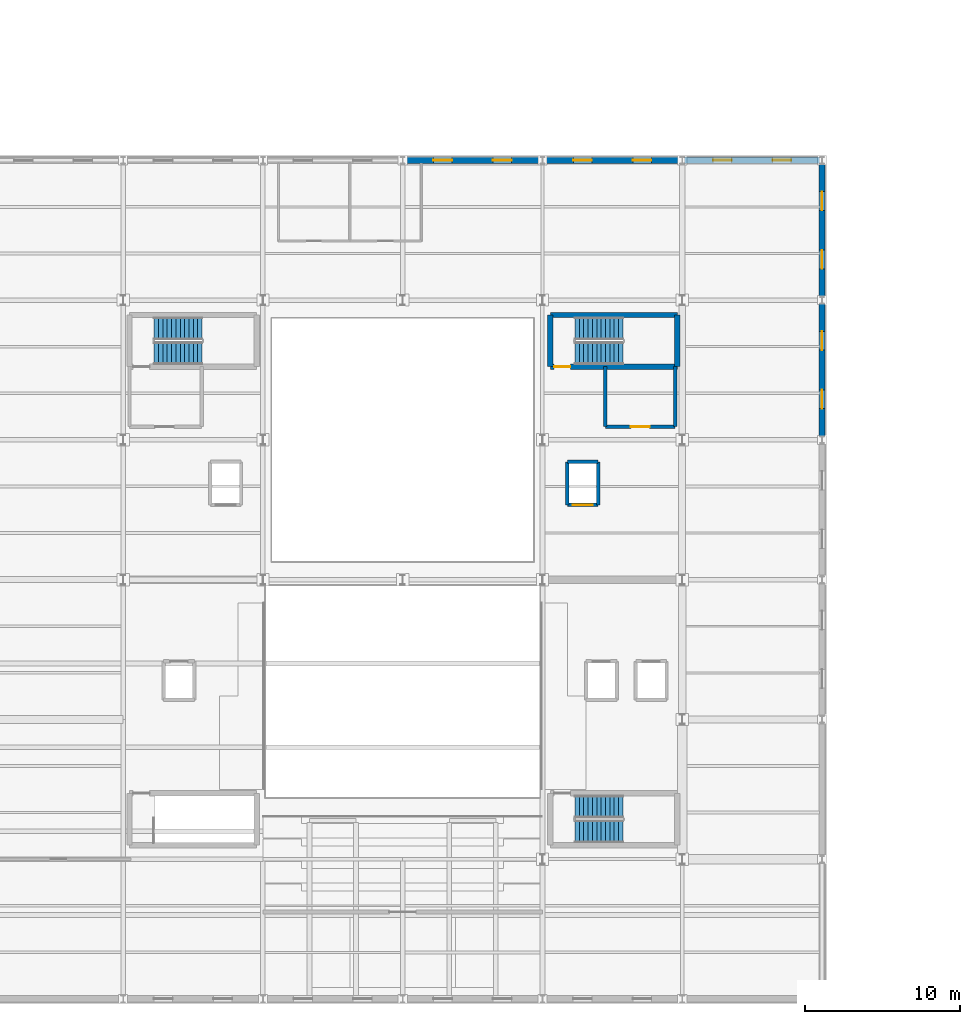
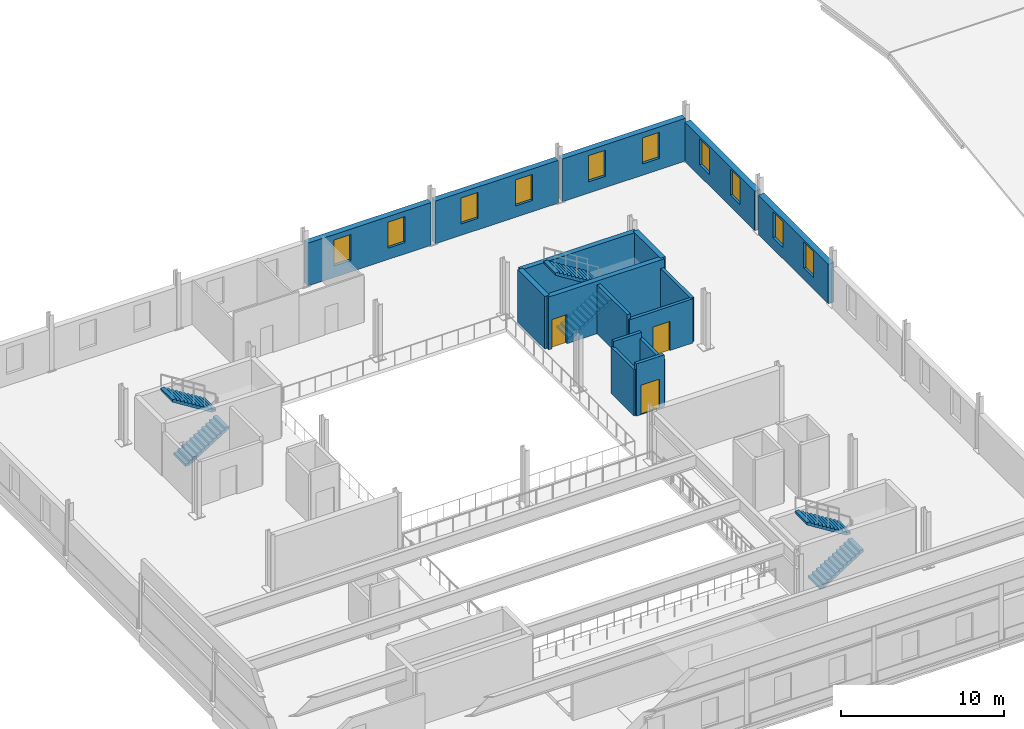
# One storey, part 11 of 17: 16 walls, 10 windows, 6 stair flights, 3 doors, 13 openings, 3 elements without a shape of their own.
"""IFC4 building model written with IfcOpenShell, lengths in metres."""

from ifc_helpers import new_model, si_unit, direction, frame, frame_2d, origin, place, context, subcontext, project, spatial, polyline, rectangle, outline, extrude, material, layer, layer_set, type_object, element, fill, aggregate, save


model = new_model("IFC4")

# Units and contexts
model_context = context("Model", 3, precision=1e-05, world=origin(), true_north=direction((0.0, 1.0)))
body_context = subcontext(model_context, "Body", "Model", "MODEL_VIEW")
ifc_project = project(units=[si_unit("LENGTHUNIT", "METRE"), si_unit("AREAUNIT", "SQUARE_METRE"), si_unit("VOLUMEUNIT", "CUBIC_METRE"), si_unit("PLANEANGLEUNIT", "RADIAN"), si_unit("MASSUNIT", "GRAM", prefix="KILO")], contexts=[model_context])

# Site, building, storey
site_placement = place(None, origin())
site = spatial("IfcSite", under=ifc_project, at=site_placement, CompositionType="ELEMENT")
building_placement = place(site_placement, origin())
building = spatial("IfcBuilding", under=site, at=building_placement, Name="Sundgate Opera House", CompositionType="ELEMENT")
storey_placement = place(building_placement, frame((0.0, 0.0, 26.39990234375)))
storey = spatial("IfcBuildingStorey", under=building, at=storey_placement, Name="L05", CompositionType="ELEMENT", Elevation=26.39990234375)

# Wall, opening, door
ifc_material_1 = material(Name="Concrete C40/50", Category="concrete")
ifc_layer_1 = layer(ifc_material_1, 0.35009765625)
ifc_layer_set_1 = layer_set([ifc_layer_1], Name="Concrete C40/50")
wall_type_1 = type_object("IfcWallType", Name="WL-CORE-350", PredefinedType="SHEAR", material=ifc_layer_set_1)
wall_1_placement = place(storey_placement, frame((63.510009765625, 73.7099609375, 0.0), z_axis=(0.0, 0.0, 1.0), x_axis=(1.0, 0.0, 0.0)))
wall_1 = element("IfcWall", 1, at=wall_1_placement, inside=storey, type_object=wall_type_1, Name="L05 C4 South Shaft Wall", PredefinedType="SHEAR", context=body_context, shape_type="SweptSolid", body=[
    extrude(rectangle(XDim=8.179931640625, YDim=0.35009765625, at=frame_2d((4.08984375, 0.0))), origin(), (0.0, 0.0, 1.0), 3.940185546875),
])
opening_1_placement = place(wall_1_placement, frame((0.239990234375, 0.0, 0.0)))
opening_1 = element("IfcOpeningElement", 2, at=opening_1_placement, cuts=wall_1, Name="Opening DI01", PredefinedType="OPENING", context=body_context, shape_type="SweptSolid", body=[
    extrude(rectangle(XDim=1.050048828125, YDim=2.179931640625, at=frame_2d((0.52490234375, 1.08984375))), frame((0.0, 0.18505859375, 0.0), z_axis=(0.0, -1.0, 0.0), x_axis=(1.0, 0.0, 0.0)), (0.0, 0.0, 1.0), 0.3701171875),
])
ifc_material_2 = material(Name="Acoustic hardwood timber and steel core", Category="steel")
door_type_1 = type_object("IfcDoorType", Name="DR-STAIR-1050x2180", OperationType="NOTDEFINED", PredefinedType="DOOR", material=ifc_material_2)
door_1_placement = place(opening_1_placement, origin())
door_1 = element("IfcDoor", 3, at=door_1_placement, inside=storey, type_object=door_type_1, Name="L05 C4 Stair Door D0068", OperationType="SINGLE_SWING_RIGHT", OverallHeight=2.179931640625, OverallWidth=1.050048828125, PredefinedType="DOOR", context=body_context, shape_type="SweptSolid", body=[
    extrude(rectangle(XDim=1.050048828125, YDim=2.179931640625, at=frame_2d((0.52490234375, 1.08984375))), frame((0.0, 0.02490234375, 0.0), z_axis=(0.0, -1.0, 0.0), x_axis=(1.0, 0.0, 0.0)), (0.0, 0.0, 1.0), 0.050048828125),
])
fill(opening_1, door_1)

# Walls
wall_2_placement = place(storey_placement, frame((63.510009765625, 77.0400390625, 0.0), z_axis=(0.0, 0.0, 1.0), x_axis=(1.0, 0.0, 0.0)))
element("IfcWall", 4, at=wall_2_placement, inside=storey, type_object=wall_type_1, Name="L05 C4 North Shaft Wall", PredefinedType="SHEAR", context=body_context, shape_type="SweptSolid", body=[
    extrude(rectangle(XDim=8.179931640625, YDim=0.35009765625, at=frame_2d((4.08984375, 0.0))), origin(), (0.0, 0.0, 1.0), 3.940185546875),
])
for number, where, z_axis, x_axis, name in (
    (5, (63.510009765625, 73.7099609375, 0.0), (0.0, 0.0, 1.0), (0.0, 1.0, 0.0), "L05 C4 West Shaft Wall"),
    (6, (71.68994140625, 73.7099609375, 0.0), (0.0, 0.0, 1.0), (0.0, 1.0, 0.0), "L05 C4 East Shaft Wall"),
):
    element("IfcWall", number, at=place(storey_placement, frame(where, z_axis=z_axis, x_axis=x_axis)), inside=storey, type_object=wall_type_1, Name=name, PredefinedType="SHEAR", context=body_context, shape_type="SweptSolid", body=[
        extrude(rectangle(XDim=3.330078125, YDim=0.35009765625, at=frame_2d((1.6650390625, 0.0))), origin(), (0.0, 0.0, 1.0), 3.940185546875),
    ])

# Wall, openings, windows
ifc_material_3 = material(Name="Vitrified stoneware trencadis and brick masonry", Category="masonry")
ifc_layer_2 = layer(ifc_material_3, 0.409912109375)
ifc_layer_set_2 = layer_set([ifc_layer_2], Name="Vitrified stoneware trencadis and brick masonry")
wall_type_2 = type_object("IfcWallType", Name="WL-EXT-TRENC-410", PredefinedType="SOLIDWALL", material=ifc_layer_set_2)
wall_3_placement = place(storey_placement, frame((54.14501953125, 87.0, 0.0), z_axis=(0.0, 0.0, 1.0), x_axis=(1.0, 0.0, 0.0)))
wall_3 = element("IfcWall", 7, at=wall_3_placement, inside=storey, type_object=wall_type_2, Name="L05 Lifted Cube North Relief Wall W0124", PredefinedType="SOLIDWALL", context=body_context, shape_type="SweptSolid", body=[
    extrude(rectangle(XDim=8.7099609375, YDim=0.409912109375, at=frame_2d((4.35498046875, 0.0))), origin(), (0.0, 0.0, 1.0), 3.205078125),
])
opening_2_placement = place(wall_3_placement, frame((1.839111328125, 0.0, 0.85009765625)))
opening_2 = element("IfcOpeningElement", 8, at=opening_2_placement, cuts=wall_3, Name="Opening W03", PredefinedType="OPENING", context=body_context, shape_type="SweptSolid", body=[
    extrude(rectangle(XDim=1.199951171875, YDim=1.949951171875, at=frame_2d((0.60009765625, 0.97509765625))), frame((0.0, 0.21484375, 0.0), z_axis=(0.0, -1.0, 0.0), x_axis=(1.0, 0.0, 0.0)), (0.0, 0.0, 1.0), 0.429931640625),
])
opening_3_placement = place(wall_3_placement, frame((5.6708984375, 0.0, 0.85009765625)))
opening_3 = element("IfcOpeningElement", 9, at=opening_3_placement, cuts=wall_3, Name="Opening W03", PredefinedType="OPENING", context=body_context, shape_type="SweptSolid", body=[
    extrude(rectangle(XDim=1.199951171875, YDim=1.949951171875, at=frame_2d((0.60009765625, 0.97509765625))), frame((0.0, 0.21484375, 0.0), z_axis=(0.0, -1.0, 0.0), x_axis=(1.0, 0.0, 0.0)), (0.0, 0.0, 1.0), 0.429931640625),
])
ifc_material_4 = material(Name="Low-iron triple glazing in patinated bronze frame", Category="glass")
window_type = type_object("IfcWindowType", Name="WN-CUBE-1200x1950", PartitioningType="SINGLE_PANEL", PredefinedType="WINDOW", material=ifc_material_4)
window_1_placement = place(opening_2_placement, origin())
window_1 = element("IfcWindow", 10, at=window_1_placement, inside=storey, type_object=window_type, Name="L05 Cube Loggia Window WN0117", OverallHeight=1.949951171875, OverallWidth=1.199951171875, PartitioningType="SINGLE_PANEL", PredefinedType="WINDOW", context=body_context, shape_type="SweptSolid", body=[
    extrude(rectangle(XDim=1.199951171875, YDim=1.949951171875, at=frame_2d((0.60009765625, 0.97509765625))), frame((0.0, 0.030029296875, 0.0), z_axis=(0.0, -1.0, 0.0), x_axis=(1.0, 0.0, 0.0)), (0.0, 0.0, 1.0), 0.06005859375),
])
fill(opening_2, window_1)
window_2_placement = place(opening_3_placement, origin())
window_2 = element("IfcWindow", 11, at=window_2_placement, inside=storey, type_object=window_type, Name="L05 Cube Loggia Window WN0118", OverallHeight=1.949951171875, OverallWidth=1.199951171875, PartitioningType="SINGLE_PANEL", PredefinedType="WINDOW", context=body_context, shape_type="SweptSolid", body=[
    extrude(rectangle(XDim=1.199951171875, YDim=1.949951171875, at=frame_2d((0.60009765625, 0.97509765625))), frame((0.0, 0.030029296875, 0.0), z_axis=(0.0, -1.0, 0.0), x_axis=(1.0, 0.0, 0.0)), (0.0, 0.0, 1.0), 0.06005859375),
])
fill(opening_3, window_2)

wall_4_placement = place(storey_placement, frame((63.14501953125, 87.0, 0.0), z_axis=(0.0, 0.0, 1.0), x_axis=(1.0, 0.0, 0.0)))
wall_4 = element("IfcWall", 12, at=wall_4_placement, inside=storey, type_object=wall_type_2, Name="L05 Lifted Cube North Relief Wall W0126", PredefinedType="SOLIDWALL", context=body_context, shape_type="SweptSolid", body=[
    extrude(rectangle(XDim=8.7099609375, YDim=0.409912109375, at=frame_2d((4.35498046875, 0.0))), origin(), (0.0, 0.0, 1.0), 3.205078125),
])
opening_4_placement = place(wall_4_placement, frame((1.839111328125, 0.0, 0.85009765625)))
opening_4 = element("IfcOpeningElement", 13, at=opening_4_placement, cuts=wall_4, Name="Opening W03", PredefinedType="OPENING", context=body_context, shape_type="SweptSolid", body=[
    extrude(rectangle(XDim=1.199951171875, YDim=1.949951171875, at=frame_2d((0.60009765625, 0.97509765625))), frame((0.0, 0.21484375, 0.0), z_axis=(0.0, -1.0, 0.0), x_axis=(1.0, 0.0, 0.0)), (0.0, 0.0, 1.0), 0.429931640625),
])
opening_5_placement = place(wall_4_placement, frame((5.6708984375, 0.0, 0.85009765625)))
opening_5 = element("IfcOpeningElement", 14, at=opening_5_placement, cuts=wall_4, Name="Opening W03", PredefinedType="OPENING", context=body_context, shape_type="SweptSolid", body=[
    extrude(rectangle(XDim=1.199951171875, YDim=1.949951171875, at=frame_2d((0.60009765625, 0.97509765625))), frame((0.0, 0.21484375, 0.0), z_axis=(0.0, -1.0, 0.0), x_axis=(1.0, 0.0, 0.0)), (0.0, 0.0, 1.0), 0.429931640625),
])
window_3_placement = place(opening_4_placement, origin())
window_3 = element("IfcWindow", 15, at=window_3_placement, inside=storey, type_object=window_type, Name="L05 Cube Loggia Window WN0121", OverallHeight=1.949951171875, OverallWidth=1.199951171875, PartitioningType="SINGLE_PANEL", PredefinedType="WINDOW", context=body_context, shape_type="SweptSolid", body=[
    extrude(rectangle(XDim=1.199951171875, YDim=1.949951171875, at=frame_2d((0.60009765625, 0.97509765625))), frame((0.0, 0.030029296875, 0.0), z_axis=(0.0, -1.0, 0.0), x_axis=(1.0, 0.0, 0.0)), (0.0, 0.0, 1.0), 0.06005859375),
])
fill(opening_4, window_3)
window_4_placement = place(opening_5_placement, origin())
window_4 = element("IfcWindow", 16, at=window_4_placement, inside=storey, type_object=window_type, Name="L05 Cube Loggia Window WN0122", OverallHeight=1.949951171875, OverallWidth=1.199951171875, PartitioningType="SINGLE_PANEL", PredefinedType="WINDOW", context=body_context, shape_type="SweptSolid", body=[
    extrude(rectangle(XDim=1.199951171875, YDim=1.949951171875, at=frame_2d((0.60009765625, 0.97509765625))), frame((0.0, 0.030029296875, 0.0), z_axis=(0.0, -1.0, 0.0), x_axis=(1.0, 0.0, 0.0)), (0.0, 0.0, 1.0), 0.06005859375),
])
fill(opening_5, window_4)

wall_5_placement = place(storey_placement, frame((72.14501953125, 87.0, 0.0), z_axis=(0.0, 0.0, 1.0), x_axis=(1.0, 0.0, 0.0)))
wall_5 = element("IfcWall", 17, at=wall_5_placement, inside=storey, type_object=wall_type_2, Name="L05 Lifted Cube North Relief Wall W0128", PredefinedType="SOLIDWALL", context=body_context, shape_type="SweptSolid", body=[
    extrude(rectangle(XDim=8.7099609375, YDim=0.409912109375, at=frame_2d((4.35498046875, 0.0))), origin(), (0.0, 0.0, 1.0), 3.205078125),
])
opening_6_placement = place(wall_5_placement, frame((1.839111328125, 0.0, 0.85009765625)))
opening_6 = element("IfcOpeningElement", 18, at=opening_6_placement, cuts=wall_5, Name="Opening W03", PredefinedType="OPENING", context=body_context, shape_type="SweptSolid", body=[
    extrude(rectangle(XDim=1.199951171875, YDim=1.949951171875, at=frame_2d((0.60009765625, 0.97509765625))), frame((0.0, 0.21484375, 0.0), z_axis=(0.0, -1.0, 0.0), x_axis=(1.0, 0.0, 0.0)), (0.0, 0.0, 1.0), 0.429931640625),
])
opening_7_placement = place(wall_5_placement, frame((5.6708984375, 0.0, 0.85009765625)))
opening_7 = element("IfcOpeningElement", 19, at=opening_7_placement, cuts=wall_5, Name="Opening W03", PredefinedType="OPENING", context=body_context, shape_type="SweptSolid", body=[
    extrude(rectangle(XDim=1.199951171875, YDim=1.949951171875, at=frame_2d((0.60009765625, 0.97509765625))), frame((0.0, 0.21484375, 0.0), z_axis=(0.0, -1.0, 0.0), x_axis=(1.0, 0.0, 0.0)), (0.0, 0.0, 1.0), 0.429931640625),
])
window_5_placement = place(opening_6_placement, origin())
window_5 = element("IfcWindow", 20, at=window_5_placement, inside=storey, type_object=window_type, Name="L05 Cube Loggia Window WN0123", OverallHeight=1.949951171875, OverallWidth=1.199951171875, PartitioningType="SINGLE_PANEL", PredefinedType="WINDOW", context=body_context, shape_type="SweptSolid", body=[
    extrude(rectangle(XDim=1.199951171875, YDim=1.949951171875, at=frame_2d((0.60009765625, 0.97509765625))), frame((0.0, 0.030029296875, 0.0), z_axis=(0.0, -1.0, 0.0), x_axis=(1.0, 0.0, 0.0)), (0.0, 0.0, 1.0), 0.06005859375),
])
fill(opening_6, window_5)
window_6_placement = place(opening_7_placement, origin())
window_6 = element("IfcWindow", 21, at=window_6_placement, inside=storey, type_object=window_type, Name="L05 Cube Loggia Window WN0124", OverallHeight=1.949951171875, OverallWidth=1.199951171875, PartitioningType="SINGLE_PANEL", PredefinedType="WINDOW", context=body_context, shape_type="SweptSolid", body=[
    extrude(rectangle(XDim=1.199951171875, YDim=1.949951171875, at=frame_2d((0.60009765625, 0.97509765625))), frame((0.0, 0.030029296875, 0.0), z_axis=(0.0, -1.0, 0.0), x_axis=(1.0, 0.0, 0.0)), (0.0, 0.0, 1.0), 0.06005859375),
])
fill(opening_7, window_6)

wall_6_placement = place(storey_placement, frame((81.0, 69.219970703125, 0.0), z_axis=(0.0, 0.0, 1.0), x_axis=(0.0, 1.0, 0.0)))
wall_6 = element("IfcWall", 22, at=wall_6_placement, inside=storey, type_object=wall_type_2, Name="L05 Lifted Cube East Relief Wall W0138", PredefinedType="SOLIDWALL", context=body_context, shape_type="SweptSolid", body=[
    extrude(rectangle(XDim=8.56005859375, YDim=0.409912109375, at=frame_2d((4.280029296875, 0.0))), origin(), (0.0, 0.0, 1.0), 2.955078125),
])
opening_8_placement = place(wall_6_placement, frame((1.797119140625, 0.0, 0.85009765625)))
opening_8 = element("IfcOpeningElement", 23, at=opening_8_placement, cuts=wall_6, Name="Opening W03", PredefinedType="OPENING", context=body_context, shape_type="SweptSolid", body=[
    extrude(rectangle(XDim=1.199951171875, YDim=1.949951171875, at=frame_2d((0.60009765625, 0.97509765625))), frame((0.0, 0.21484375, 0.0), z_axis=(0.0, -1.0, 0.0), x_axis=(1.0, 0.0, 0.0)), (0.0, 0.0, 1.0), 0.429931640625),
])
opening_9_placement = place(wall_6_placement, frame((5.56298828125, 0.0, 0.85009765625)))
opening_9 = element("IfcOpeningElement", 24, at=opening_9_placement, cuts=wall_6, Name="Opening W03", PredefinedType="OPENING", context=body_context, shape_type="SweptSolid", body=[
    extrude(rectangle(XDim=1.199951171875, YDim=1.949951171875, at=frame_2d((0.60009765625, 0.97509765625))), frame((0.0, 0.21484375, 0.0), z_axis=(0.0, -1.0, 0.0), x_axis=(1.0, 0.0, 0.0)), (0.0, 0.0, 1.0), 0.429931640625),
])
window_7_placement = place(opening_8_placement, origin())
window_7 = element("IfcWindow", 25, at=window_7_placement, inside=storey, type_object=window_type, Name="L05 Cube Loggia Window WN0131", OverallHeight=1.949951171875, OverallWidth=1.199951171875, PartitioningType="SINGLE_PANEL", PredefinedType="WINDOW", context=body_context, shape_type="SweptSolid", body=[
    extrude(rectangle(XDim=1.199951171875, YDim=1.949951171875, at=frame_2d((0.60009765625, 0.97509765625))), frame((0.0, 0.030029296875, 0.0), z_axis=(0.0, -1.0, 0.0), x_axis=(1.0, 0.0, 0.0)), (0.0, 0.0, 1.0), 0.06005859375),
])
fill(opening_8, window_7)
window_8_placement = place(opening_9_placement, origin())
window_8 = element("IfcWindow", 26, at=window_8_placement, inside=storey, type_object=window_type, Name="L05 Cube Loggia Window WN0132", OverallHeight=1.949951171875, OverallWidth=1.199951171875, PartitioningType="SINGLE_PANEL", PredefinedType="WINDOW", context=body_context, shape_type="SweptSolid", body=[
    extrude(rectangle(XDim=1.199951171875, YDim=1.949951171875, at=frame_2d((0.60009765625, 0.97509765625))), frame((0.0, 0.030029296875, 0.0), z_axis=(0.0, -1.0, 0.0), x_axis=(1.0, 0.0, 0.0)), (0.0, 0.0, 1.0), 0.06005859375),
])
fill(opening_9, window_8)

wall_7_placement = place(storey_placement, frame((81.0, 78.219970703125, 0.0), z_axis=(0.0, 0.0, 1.0), x_axis=(0.0, 1.0, 0.0)))
wall_7 = element("IfcWall", 27, at=wall_7_placement, inside=storey, type_object=wall_type_2, Name="L05 Lifted Cube East Relief Wall W0140", PredefinedType="SOLIDWALL", context=body_context, shape_type="SweptSolid", body=[
    extrude(rectangle(XDim=8.56005859375, YDim=0.409912109375, at=frame_2d((4.280029296875, 0.0))), origin(), (0.0, 0.0, 1.0), 2.955078125),
])
opening_10_placement = place(wall_7_placement, frame((1.797119140625, 0.0, 0.85009765625)))
opening_10 = element("IfcOpeningElement", 28, at=opening_10_placement, cuts=wall_7, Name="Opening W03", PredefinedType="OPENING", context=body_context, shape_type="SweptSolid", body=[
    extrude(rectangle(XDim=1.199951171875, YDim=1.949951171875, at=frame_2d((0.60009765625, 0.97509765625))), frame((0.0, 0.21484375, 0.0), z_axis=(0.0, -1.0, 0.0), x_axis=(1.0, 0.0, 0.0)), (0.0, 0.0, 1.0), 0.429931640625),
])
opening_11_placement = place(wall_7_placement, frame((5.56298828125, 0.0, 0.85009765625)))
opening_11 = element("IfcOpeningElement", 29, at=opening_11_placement, cuts=wall_7, Name="Opening W03", PredefinedType="OPENING", context=body_context, shape_type="SweptSolid", body=[
    extrude(rectangle(XDim=1.199951171875, YDim=1.949951171875, at=frame_2d((0.60009765625, 0.97509765625))), frame((0.0, 0.21484375, 0.0), z_axis=(0.0, -1.0, 0.0), x_axis=(1.0, 0.0, 0.0)), (0.0, 0.0, 1.0), 0.429931640625),
])
window_9_placement = place(opening_10_placement, origin())
window_9 = element("IfcWindow", 30, at=window_9_placement, inside=storey, type_object=window_type, Name="L05 Cube Loggia Window WN0135", OverallHeight=1.949951171875, OverallWidth=1.199951171875, PartitioningType="SINGLE_PANEL", PredefinedType="WINDOW", context=body_context, shape_type="SweptSolid", body=[
    extrude(rectangle(XDim=1.199951171875, YDim=1.949951171875, at=frame_2d((0.60009765625, 0.97509765625))), frame((0.0, 0.030029296875, 0.0), z_axis=(0.0, -1.0, 0.0), x_axis=(1.0, 0.0, 0.0)), (0.0, 0.0, 1.0), 0.06005859375),
])
fill(opening_10, window_9)
window_10_placement = place(opening_11_placement, origin())
window_10 = element("IfcWindow", 31, at=window_10_placement, inside=storey, type_object=window_type, Name="L05 Cube Loggia Window WN0136", OverallHeight=1.949951171875, OverallWidth=1.199951171875, PartitioningType="SINGLE_PANEL", PredefinedType="WINDOW", context=body_context, shape_type="SweptSolid", body=[
    extrude(rectangle(XDim=1.199951171875, YDim=1.949951171875, at=frame_2d((0.60009765625, 0.97509765625))), frame((0.0, 0.030029296875, 0.0), z_axis=(0.0, -1.0, 0.0), x_axis=(1.0, 0.0, 0.0)), (0.0, 0.0, 1.0), 0.06005859375),
])
fill(opening_11, window_10)

# Wall, opening, door
ifc_material_5 = material(Name="Fire-rated gypsum and mineral-wool shaft partition", Category="gypsum")
ifc_layer_3 = layer(ifc_material_5, 0.219970703125)
ifc_layer_set_3 = layer_set([ifc_layer_3], Name="Fire-rated gypsum and mineral-wool shaft partition")
wall_type_3 = type_object("IfcWallType", Name="WL-INT-FIRE-220", PredefinedType="PARTITIONING", material=ifc_layer_set_3)
wall_8_placement = place(storey_placement, frame((67.050048828125, 69.85009765625, 0.0), z_axis=(0.0, 0.0, 1.0), x_axis=(1.0, 0.0, 0.0)))
wall_8 = element("IfcWall", 32, at=wall_8_placement, inside=storey, type_object=wall_type_3, Name="L05 C4 Firefighting Lobby South Wall", PredefinedType="PARTITIONING", context=body_context, shape_type="SweptSolid", body=[
    extrude(rectangle(XDim=4.5, YDim=0.219970703125, at=frame_2d((2.25, 0.0))), origin(), (0.0, 0.0, 1.0), 3.30517578125),
])
opening_12_placement = place(wall_8_placement, frame((1.64990234375, 0.0, 0.0)))
opening_12 = element("IfcOpeningElement", 33, at=opening_12_placement, cuts=wall_8, Name="Opening DI02", PredefinedType="OPENING", context=body_context, shape_type="SweptSolid", body=[
    extrude(rectangle(XDim=1.199951171875, YDim=2.179931640625, at=frame_2d((0.60009765625, 1.08984375))), frame((0.0, 0.119873046875, 0.0), z_axis=(0.0, -1.0, 0.0), x_axis=(1.0, 0.0, 0.0)), (0.0, 0.0, 1.0), 0.239990234375),
])
ifc_material_6 = material(Name="Acoustic hardwood timber and steel core", Category="steel")
door_type_2 = type_object("IfcDoorType", Name="DR-FFLOB-1200x2180", OperationType="NOTDEFINED", PredefinedType="DOOR", material=ifc_material_6)
door_2_placement = place(opening_12_placement, origin())
door_2 = element("IfcDoor", 34, at=door_2_placement, inside=storey, type_object=door_type_2, Name="L05 C4 Firefighting Lobby Door D0069", OperationType="SINGLE_SWING_LEFT", OverallHeight=2.179931640625, OverallWidth=1.199951171875, PredefinedType="DOOR", context=body_context, shape_type="SweptSolid", body=[
    extrude(rectangle(XDim=1.199951171875, YDim=2.179931640625, at=frame_2d((0.60009765625, 1.08984375))), frame((0.0, 0.02490234375, 0.0), z_axis=(0.0, -1.0, 0.0), x_axis=(1.0, 0.0, 0.0)), (0.0, 0.0, 1.0), 0.050048828125),
])
fill(opening_12, door_2)

# Walls
wall_9_placement = place(storey_placement, frame((67.050048828125, 69.85009765625, 0.0), z_axis=(0.0, 0.0, 1.0), x_axis=(0.0, 1.0, 0.0)))
element("IfcWall", 35, at=wall_9_placement, inside=storey, type_object=wall_type_3, Name="L05 C4 Firefighting Lobby West Wall", PredefinedType="PARTITIONING", context=body_context, shape_type="SweptSolid", body=[
    extrude(rectangle(XDim=3.85986328125, YDim=0.219970703125, at=frame_2d((1.929931640625, 0.0))), origin(), (0.0, 0.0, 1.0), 3.6650390625),
])
wall_10_placement = place(storey_placement, frame((71.550048828125, 69.85009765625, 0.0), z_axis=(0.0, 0.0, 1.0), x_axis=(0.0, 1.0, 0.0)))
element("IfcWall", 36, at=wall_10_placement, inside=storey, type_object=wall_type_3, Name="L05 C4 Firefighting Lobby East Wall", PredefinedType="PARTITIONING", context=body_context, shape_type="SweptSolid", body=[
    extrude(rectangle(XDim=3.85986328125, YDim=0.219970703125, at=frame_2d((1.929931640625, 0.0))), origin(), (0.0, 0.0, 1.0), 3.30517578125),
])

# Wall, opening, door
wall_11_placement = place(storey_placement, frame((64.610107421875, 64.81005859375, 0.0), z_axis=(0.0, 0.0, 1.0), x_axis=(1.0, 0.0, 0.0)))
wall_11 = element("IfcWall", 37, at=wall_11_placement, inside=storey, type_object=wall_type_3, Name="L05 FF2 South Shaft Wall", PredefinedType="PARTITIONING", context=body_context, shape_type="SweptSolid", body=[
    extrude(rectangle(XDim=1.97998046875, YDim=0.219970703125, at=frame_2d((0.989990234375, 0.0))), origin(), (0.0, 0.0, 1.0), 3.905029296875),
])
opening_13_placement = place(wall_11_placement, frame((0.340087890625, 0.0, 0.0)))
opening_13 = element("IfcOpeningElement", 38, at=opening_13_placement, cuts=wall_11, Name="Opening LD2", PredefinedType="OPENING", context=body_context, shape_type="SweptSolid", body=[
    extrude(rectangle(XDim=1.300048828125, YDim=2.199951171875, at=frame_2d((0.64990234375, 1.10009765625))), frame((0.0, 0.119873046875, 0.0), z_axis=(0.0, -1.0, 0.0), x_axis=(1.0, 0.0, 0.0)), (0.0, 0.0, 1.0), 0.239990234375),
])
ifc_material_7 = material(Name="Brushed stainless steel EN 1.4301", Category="steel")
door_type_3 = type_object("IfcDoorType", Name="DR-LIFT-1300x2200", OperationType="DOUBLE_DOOR_SLIDING", PredefinedType="DOOR", material=ifc_material_7)
door_3_placement = place(opening_13_placement, origin())
door_3 = element("IfcDoor", 39, at=door_3_placement, inside=storey, type_object=door_type_3, Name="L05 FF2 Landing Door D0142", OperationType="DOUBLE_DOOR_SLIDING", OverallHeight=2.199951171875, OverallWidth=1.300048828125, PredefinedType="DOOR", context=body_context, shape_type="SweptSolid", body=[
    extrude(rectangle(XDim=1.300048828125, YDim=2.199951171875, at=frame_2d((0.64990234375, 1.10009765625))), frame((0.0, 0.02490234375, 0.0), z_axis=(0.0, -1.0, 0.0), x_axis=(1.0, 0.0, 0.0)), (0.0, 0.0, 1.0), 0.050048828125),
])
fill(opening_13, door_3)

# Walls
wall_12_placement = place(storey_placement, frame((64.610107421875, 67.590087890625, 0.0), z_axis=(0.0, 0.0, 1.0), x_axis=(1.0, 0.0, 0.0)))
element("IfcWall", 40, at=wall_12_placement, inside=storey, type_object=wall_type_3, Name="L05 FF2 North Shaft Wall", PredefinedType="PARTITIONING", context=body_context, shape_type="SweptSolid", body=[
    extrude(rectangle(XDim=1.97998046875, YDim=0.219970703125, at=frame_2d((0.989990234375, 0.0))), origin(), (0.0, 0.0, 1.0), 3.905029296875),
])
for number, where, z_axis, x_axis, name in (
    (41, (64.610107421875, 64.81005859375, 0.0), (0.0, 0.0, 1.0), (0.0, 1.0, 0.0), "L05 FF2 West Shaft Wall"),
    (42, (66.590087890625, 64.81005859375, 0.0), (0.0, 0.0, 1.0), (0.0, 1.0, 0.0), "L05 FF2 East Shaft Wall"),
):
    element("IfcWall", number, at=place(storey_placement, frame(where, z_axis=z_axis, x_axis=x_axis)), inside=storey, type_object=wall_type_3, Name=name, PredefinedType="PARTITIONING", context=body_context, shape_type="SweptSolid", body=[
        extrude(rectangle(XDim=2.780029296875, YDim=0.219970703125, at=frame_2d((1.39013671875, 0.0))), origin(), (0.0, 0.0, 1.0), 3.455078125),
    ])

# Stair, stair flights
ifc_material_8 = material(Name="Concrete C35/45", Category="concrete")
stair_type = type_object("IfcStairType", Name="ST-HT-24R-1450", PredefinedType="HALF_TURN_STAIR", material=ifc_material_8)
stair_1_placement = place(storey_placement, origin())
stair_1 = element("IfcStair", 43, at=stair_1_placement, inside=storey, type_object=stair_type, Name="L05 Escape Stair ST-02", PredefinedType="HALF_TURN_STAIR")
ifc_material_9 = material(Name="Concrete C35/45", Category="concrete")
stair_flight_type = type_object("IfcStairFlightType", Name="SF-STR-12R-1450", PredefinedType="STRAIGHT", material=ifc_material_9)
stair_flight_1_placement = place(storey_placement, frame((38.0, 74.574951171875, 0.0), z_axis=(0.0, 0.0, 1.0), x_axis=(1.0, 0.0, 0.0)))
stair_flight_1 = element("IfcStairFlight", 44, at=stair_flight_1_placement, type_object=stair_flight_type, Name="ST02L05 Flight 1", NumberOfRisers=12, NumberOfTreads=11, PredefinedType="STRAIGHT", RiserHeight=0.175, TreadLength=0.28, context=body_context, shape_type="SweptSolid", body=[
    extrude(outline(polyline([(0.0, 0.0), (0.0, 0.175048828125), (0.280029296875, 0.175048828125), (0.280029296875, 0.35009765625), (0.56005859375, 0.35009765625), (0.56005859375, 0.52490234375), (0.840087890625, 0.52490234375), (0.840087890625, 0.699951171875), (1.1201171875, 0.699951171875), (1.1201171875, 0.875), (1.39990234375, 0.875), (1.39990234375, 1.050048828125), (1.679931640625, 1.050048828125), (1.679931640625, 1.22509765625), (1.9599609375, 1.22509765625), (1.9599609375, 1.39990234375), (2.239990234375, 1.39990234375), (2.239990234375, 1.574951171875), (2.52001953125, 1.574951171875), (2.52001953125, 1.75), (2.800048828125, 1.75), (2.800048828125, 1.925048828125), (3.080078125, 1.925048828125), (3.080078125, 2.10009765625), (3.080078125, 1.748291015625), (0.28271484375, 0.0), (0.0, 0.0)])), frame((0.0, 0.72509765625, 0.0), z_axis=(0.0, -1.0, 0.0), x_axis=(1.0, 0.0, 0.0)), (0.0, 0.0, 1.0), 1.449951171875),
])
stair_flight_2_placement = place(storey_placement, frame((41.080078125, 76.175048828125, 2.10009765625), z_axis=(0.0, 0.0, 1.0), x_axis=(-1.0, 0.0, 0.0)))
stair_flight_2 = element("IfcStairFlight", 45, at=stair_flight_2_placement, type_object=stair_flight_type, Name="ST02L05 Flight 2", NumberOfRisers=12, NumberOfTreads=11, PredefinedType="STRAIGHT", RiserHeight=0.175, TreadLength=0.28, context=body_context, shape_type="SweptSolid", body=[
    extrude(outline(polyline([(0.0, 0.0), (0.0, 0.175048828125), (0.280029296875, 0.175048828125), (0.280029296875, 0.35009765625), (0.56005859375, 0.35009765625), (0.56005859375, 0.52490234375), (0.840087890625, 0.52490234375), (0.840087890625, 0.699951171875), (1.1201171875, 0.699951171875), (1.1201171875, 0.875), (1.39990234375, 0.875), (1.39990234375, 1.050048828125), (1.679931640625, 1.050048828125), (1.679931640625, 1.22509765625), (1.9599609375, 1.22509765625), (1.9599609375, 1.39990234375), (2.239990234375, 1.39990234375), (2.239990234375, 1.574951171875), (2.52001953125, 1.574951171875), (2.52001953125, 1.75), (2.800048828125, 1.75), (2.800048828125, 1.925048828125), (3.080078125, 1.925048828125), (3.080078125, 2.10009765625), (3.080078125, 1.748291015625), (0.28271484375, 0.0), (0.0, 0.0)])), frame((0.0, 0.72509765625, 0.0), z_axis=(0.0, -1.0, 0.0), x_axis=(1.0, 0.0, 0.0)), (0.0, 0.0, 1.0), 1.449951171875),
])
aggregate(stair_1, [stair_flight_1, stair_flight_2])

stair_2_placement = place(storey_placement, origin())
stair_2 = element("IfcStair", 46, at=stair_2_placement, inside=storey, type_object=stair_type, Name="L05 Escape Stair ST-03", PredefinedType="HALF_TURN_STAIR")
stair_flight_3_placement = place(storey_placement, frame((65.10009765625, 43.77490234375, 0.0), z_axis=(0.0, 0.0, 1.0), x_axis=(1.0, 0.0, 0.0)))
stair_flight_3 = element("IfcStairFlight", 47, at=stair_flight_3_placement, type_object=stair_flight_type, Name="ST03L05 Flight 1", NumberOfRisers=12, NumberOfTreads=11, PredefinedType="STRAIGHT", RiserHeight=0.175, TreadLength=0.28, context=body_context, shape_type="SweptSolid", body=[
    extrude(outline(polyline([(0.0, 0.0), (0.0, 0.175048828125), (0.280029296875, 0.175048828125), (0.280029296875, 0.35009765625), (0.56005859375, 0.35009765625), (0.56005859375, 0.52490234375), (0.840087890625, 0.52490234375), (0.840087890625, 0.699951171875), (1.1201171875, 0.699951171875), (1.1201171875, 0.875), (1.39990234375, 0.875), (1.39990234375, 1.050048828125), (1.679931640625, 1.050048828125), (1.679931640625, 1.22509765625), (1.9599609375, 1.22509765625), (1.9599609375, 1.39990234375), (2.239990234375, 1.39990234375), (2.239990234375, 1.574951171875), (2.52001953125, 1.574951171875), (2.52001953125, 1.75), (2.800048828125, 1.75), (2.800048828125, 1.925048828125), (3.080078125, 1.925048828125), (3.080078125, 2.10009765625), (3.080078125, 1.748291015625), (0.28271484375, 0.0), (0.0, 0.0)])), frame((0.0, 0.72509765625, 0.0), z_axis=(0.0, -1.0, 0.0), x_axis=(1.0, 0.0, 0.0)), (0.0, 0.0, 1.0), 1.449951171875),
])
stair_flight_4_placement = place(storey_placement, frame((68.179931640625, 45.375, 2.10009765625), z_axis=(0.0, 0.0, 1.0), x_axis=(-1.0, 0.0, 0.0)))
stair_flight_4 = element("IfcStairFlight", 48, at=stair_flight_4_placement, type_object=stair_flight_type, Name="ST03L05 Flight 2", NumberOfRisers=12, NumberOfTreads=11, PredefinedType="STRAIGHT", RiserHeight=0.175, TreadLength=0.28, context=body_context, shape_type="SweptSolid", body=[
    extrude(outline(polyline([(0.0, 0.0), (0.0, 0.175048828125), (0.280029296875, 0.175048828125), (0.280029296875, 0.35009765625), (0.56005859375, 0.35009765625), (0.56005859375, 0.52490234375), (0.840087890625, 0.52490234375), (0.840087890625, 0.699951171875), (1.1201171875, 0.699951171875), (1.1201171875, 0.875), (1.39990234375, 0.875), (1.39990234375, 1.050048828125), (1.679931640625, 1.050048828125), (1.679931640625, 1.22509765625), (1.9599609375, 1.22509765625), (1.9599609375, 1.39990234375), (2.239990234375, 1.39990234375), (2.239990234375, 1.574951171875), (2.52001953125, 1.574951171875), (2.52001953125, 1.75), (2.800048828125, 1.75), (2.800048828125, 1.925048828125), (3.080078125, 1.925048828125), (3.080078125, 2.10009765625), (3.080078125, 1.748291015625), (0.28271484375, 0.0), (0.0, 0.0)])), frame((0.0, 0.72509765625, 0.0), z_axis=(0.0, -1.0, 0.0), x_axis=(1.0, 0.0, 0.0)), (0.0, 0.0, 1.0), 1.449951171875),
])
aggregate(stair_2, [stair_flight_3, stair_flight_4])

stair_3_placement = place(storey_placement, origin())
stair_3 = element("IfcStair", 49, at=stair_3_placement, inside=storey, type_object=stair_type, Name="L05 Escape Stair ST-04", PredefinedType="HALF_TURN_STAIR")
stair_flight_5_placement = place(storey_placement, frame((65.10009765625, 74.574951171875, 0.0), z_axis=(0.0, 0.0, 1.0), x_axis=(1.0, 0.0, 0.0)))
stair_flight_5 = element("IfcStairFlight", 50, at=stair_flight_5_placement, type_object=stair_flight_type, Name="ST04L05 Flight 1", NumberOfRisers=12, NumberOfTreads=11, PredefinedType="STRAIGHT", RiserHeight=0.175, TreadLength=0.28, context=body_context, shape_type="SweptSolid", body=[
    extrude(outline(polyline([(0.0, 0.0), (0.0, 0.175048828125), (0.280029296875, 0.175048828125), (0.280029296875, 0.35009765625), (0.56005859375, 0.35009765625), (0.56005859375, 0.52490234375), (0.840087890625, 0.52490234375), (0.840087890625, 0.699951171875), (1.1201171875, 0.699951171875), (1.1201171875, 0.875), (1.39990234375, 0.875), (1.39990234375, 1.050048828125), (1.679931640625, 1.050048828125), (1.679931640625, 1.22509765625), (1.9599609375, 1.22509765625), (1.9599609375, 1.39990234375), (2.239990234375, 1.39990234375), (2.239990234375, 1.574951171875), (2.52001953125, 1.574951171875), (2.52001953125, 1.75), (2.800048828125, 1.75), (2.800048828125, 1.925048828125), (3.080078125, 1.925048828125), (3.080078125, 2.10009765625), (3.080078125, 1.748291015625), (0.28271484375, 0.0), (0.0, 0.0)])), frame((0.0, 0.72509765625, 0.0), z_axis=(0.0, -1.0, 0.0), x_axis=(1.0, 0.0, 0.0)), (0.0, 0.0, 1.0), 1.449951171875),
])
stair_flight_6_placement = place(storey_placement, frame((68.179931640625, 76.175048828125, 2.10009765625), z_axis=(0.0, 0.0, 1.0), x_axis=(-1.0, 0.0, 0.0)))
stair_flight_6 = element("IfcStairFlight", 51, at=stair_flight_6_placement, type_object=stair_flight_type, Name="ST04L05 Flight 2", NumberOfRisers=12, NumberOfTreads=11, PredefinedType="STRAIGHT", RiserHeight=0.175, TreadLength=0.28, context=body_context, shape_type="SweptSolid", body=[
    extrude(outline(polyline([(0.0, 0.0), (0.0, 0.175048828125), (0.280029296875, 0.175048828125), (0.280029296875, 0.35009765625), (0.56005859375, 0.35009765625), (0.56005859375, 0.52490234375), (0.840087890625, 0.52490234375), (0.840087890625, 0.699951171875), (1.1201171875, 0.699951171875), (1.1201171875, 0.875), (1.39990234375, 0.875), (1.39990234375, 1.050048828125), (1.679931640625, 1.050048828125), (1.679931640625, 1.22509765625), (1.9599609375, 1.22509765625), (1.9599609375, 1.39990234375), (2.239990234375, 1.39990234375), (2.239990234375, 1.574951171875), (2.52001953125, 1.574951171875), (2.52001953125, 1.75), (2.800048828125, 1.75), (2.800048828125, 1.925048828125), (3.080078125, 1.925048828125), (3.080078125, 2.10009765625), (3.080078125, 1.748291015625), (0.28271484375, 0.0), (0.0, 0.0)])), frame((0.0, 0.72509765625, 0.0), z_axis=(0.0, -1.0, 0.0), x_axis=(1.0, 0.0, 0.0)), (0.0, 0.0, 1.0), 1.449951171875),
])
aggregate(stair_3, [stair_flight_5, stair_flight_6])

save(model, "model.ifc")
